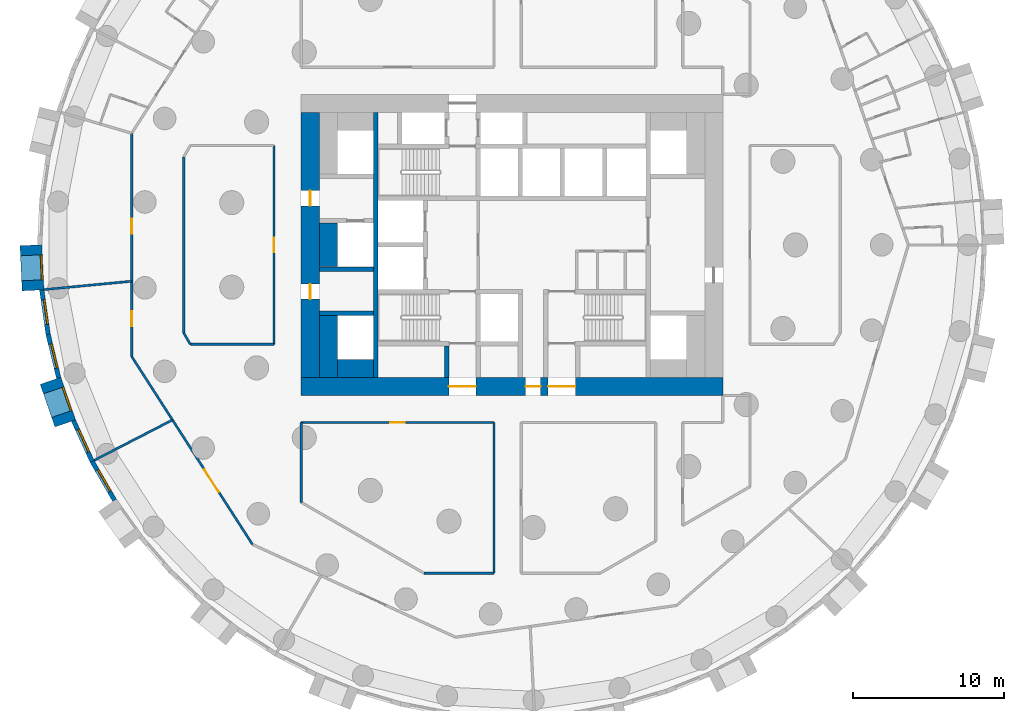
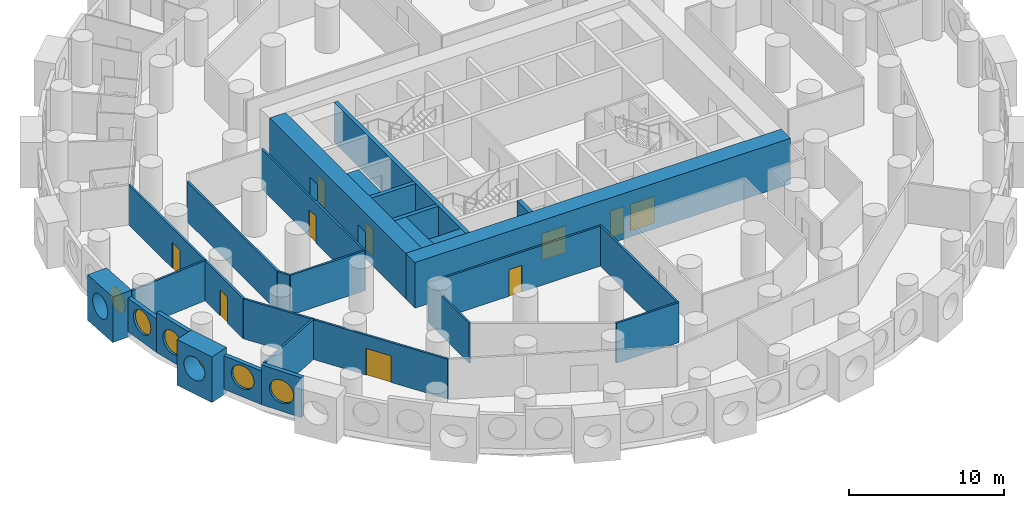
# One storey, part 3 of 12: 27 walls, 10 doors, 6 windows, 16 openings.
"""IFC4 building model written with IfcOpenShell, lengths in metres."""

from ifc_helpers import new_model, si_unit, direction, frame, frame_2d, origin, origin_2d, place, context, subcontext, project, spatial, rectangle, circle, extrude, material, layer, layer_set, type_object, element, fill, save


model = new_model("IFC4")

# Units and contexts
model_context = context("Model", 3, precision=1e-05, world=origin(), true_north=direction((0.0, 1.0)))
body_context = subcontext(model_context, "Body", "Model", "MODEL_VIEW")
ifc_project = project(units=[si_unit("LENGTHUNIT", "METRE"), si_unit("AREAUNIT", "SQUARE_METRE"), si_unit("VOLUMEUNIT", "CUBIC_METRE"), si_unit("PLANEANGLEUNIT", "RADIAN"), si_unit("MASSUNIT", "GRAM", prefix="KILO")], contexts=[model_context])

# Site, building, storey
site_placement = place(None, origin())
site = spatial("IfcSite", under=ifc_project, at=site_placement, CompositionType="ELEMENT")
building_placement = place(site_placement, origin())
building = spatial("IfcBuilding", under=site, at=building_placement, Name="Tracery Tower", CompositionType="ELEMENT")
storey_placement = place(building_placement, frame((0.0, 0.0, 42.60009765625)))
storey = spatial("IfcBuildingStorey", under=building, at=storey_placement, Name="L09", CompositionType="ELEMENT", Elevation=42.60009765625)

# Walls
ifc_material_1 = material(Name="Concrete C60/75", Category="concrete")
ifc_layer_1 = layer(ifc_material_1, 1.199951171875)
ifc_layer_set_1 = layer_set([ifc_layer_1], Name="Core strip wall 1200 C60")
wall_type_1 = type_object("IfcWallType", Name="Core strip wall 1200 C60", PredefinedType="SOLIDWALL", material=ifc_layer_set_1)
wall_1_placement = place(storey_placement, frame((-12.199951171875, -8.800048828125, 0.0), z_axis=(0.0, 0.0, 1.0), x_axis=(0.0, 1.0, 0.0)))
element("IfcWall", 1, at=wall_1_placement, inside=storey, type_object=wall_type_1, Name="L09 wing strip -1 -9.4", PredefinedType="SOLIDWALL", context=body_context, shape_type="SweptSolid", body=[
    extrude(rectangle(XDim=4.10009765625, YDim=1.199951171875, at=frame_2d((2.050048828125, 0.0))), origin(), (0.0, 0.0, 1.0), 3.14990234375),
])
wall_2_placement = place(storey_placement, frame((-12.199951171875, -1.449951171875, 0.0), z_axis=(0.0, 0.0, 1.0), x_axis=(0.0, 1.0, 0.0)))
element("IfcWall", 2, at=wall_2_placement, inside=storey, type_object=wall_type_1, Name="L09 wing strip -1 -1.6", PredefinedType="SOLIDWALL", context=body_context, shape_type="SweptSolid", body=[
    extrude(rectangle(XDim=2.89990234375, YDim=1.199951171875, at=frame_2d((1.449951171875, 0.0))), origin(), (0.0, 0.0, 1.0), 3.14990234375),
])
wall_3_placement = place(storey_placement, frame((-11.60009765625, -8.199951171875, 0.0), z_axis=(0.0, 0.0, 1.0), x_axis=(1.0, 0.0, 0.0)))
element("IfcWall", 3, at=wall_3_placement, inside=storey, type_object=wall_type_1, Name="L09 wing corner -1 -8.2", PredefinedType="SOLIDWALL", context=body_context, shape_type="SweptSolid", body=[
    extrude(rectangle(XDim=2.400146484375, YDim=1.199951171875, at=frame_2d((1.2001953125, 0.0))), origin(), (0.0, 0.0, 1.0), 3.14990234375),
])

# Wall, openings, doors
ifc_material_2 = material(Name="Concrete C60/75", Category="concrete")
ifc_layer_2 = layer(ifc_material_2, 1.199951171875)
ifc_layer_set_2 = layer_set([ifc_layer_2], Name="Core wall 1200 C60")
wall_type_2 = type_object("IfcWallType", Name="Core wall 1200 C60", PredefinedType="SOLIDWALL", material=ifc_layer_set_2)
wall_4_placement = place(storey_placement, frame((-14.0, -9.39990234375, 0.0), z_axis=(0.0, 0.0, 1.0), x_axis=(1.0, 0.0, 0.0)))
wall_4 = element("IfcWall", 4, at=wall_4_placement, inside=storey, type_object=wall_type_2, Name="L09 outer S", PredefinedType="SOLIDWALL", context=body_context, shape_type="SweptSolid", body=[
    extrude(rectangle(XDim=28.0, YDim=1.199951171875, at=frame_2d((14.0, 0.0))), origin(), (0.0, 0.0, 1.0), 3.599853515625),
])
opening_1_placement = place(wall_4_placement, frame((14.89990234375, 0.0, 0.0)))
opening_1 = element("IfcOpeningElement", 5, at=opening_1_placement, cuts=wall_4, Name="Opening KD16", PredefinedType="OPENING", context=body_context, shape_type="SweptSolid", body=[
    extrude(rectangle(XDim=1.0, YDim=2.10009765625, at=frame_2d((0.5, 1.050048828125))), frame((0.0, 0.60009765625, 0.0), z_axis=(0.0, -1.0, 0.0), x_axis=(1.0, 0.0, 0.0)), (0.0, 0.0, 1.0), 1.199951171875),
])
opening_2_placement = place(wall_4_placement, frame((9.800048828125, 0.0, 0.0)))
opening_2 = element("IfcOpeningElement", 6, at=opening_2_placement, cuts=wall_4, Name="Opening KD13", PredefinedType="OPENING", context=body_context, shape_type="SweptSolid", body=[
    extrude(rectangle(XDim=1.800048828125, YDim=2.10009765625, at=frame_2d((0.89990234375, 1.050048828125))), frame((0.0, 0.60009765625, 0.0), z_axis=(0.0, -1.0, 0.0), x_axis=(1.0, 0.0, 0.0)), (0.0, 0.0, 1.0), 1.199951171875),
])
opening_3_placement = place(wall_4_placement, frame((16.39990234375, 0.0, 0.0)))
opening_3 = element("IfcOpeningElement", 7, at=opening_3_placement, cuts=wall_4, Name="Opening KD13", PredefinedType="OPENING", context=body_context, shape_type="SweptSolid", body=[
    extrude(rectangle(XDim=1.800048828125, YDim=2.10009765625, at=frame_2d((0.89990234375, 1.050048828125))), frame((0.0, 0.60009765625, 0.0), z_axis=(0.0, -1.0, 0.0), x_axis=(1.0, 0.0, 0.0)), (0.0, 0.0, 1.0), 1.199951171875),
])
ifc_material_3 = material(Name="Steel fire door", Category="steel")
door_type_1 = type_object("IfcDoorType", Name="Core exit door 1000", OperationType="NOTDEFINED", PredefinedType="DOOR", material=ifc_material_3)
door_1_placement = place(opening_1_placement, origin())
door_1 = element("IfcDoor", 8, at=door_1_placement, inside=storey, type_object=door_type_1, Name="Core exit door", OperationType="SINGLE_SWING_LEFT", OverallHeight=2.10009765625, OverallWidth=1.0, PredefinedType="DOOR", context=body_context, shape_type="SweptSolid", body=[
    extrude(rectangle(XDim=1.0, YDim=2.10009765625, at=frame_2d((0.5, 1.050048828125))), frame((0.0, 0.02490234375, 0.0), z_axis=(0.0, -1.0, 0.0), x_axis=(1.0, 0.0, 0.0)), (0.0, 0.0, 1.0), 0.050048828125),
])
fill(opening_1, door_1)
ifc_material_4 = material(Name="Steel fire door", Category="steel")
door_type_2 = type_object("IfcDoorType", Name="Core exit door 1800 double", OperationType="NOTDEFINED", PredefinedType="DOOR", material=ifc_material_4)
door_2_placement = place(opening_2_placement, origin())
door_2 = element("IfcDoor", 9, at=door_2_placement, inside=storey, type_object=door_type_2, Name="Core exit door", OperationType="DOUBLE_DOOR_SINGLE_SWING", OverallHeight=2.10009765625, OverallWidth=1.800048828125, PredefinedType="DOOR", context=body_context, shape_type="SweptSolid", body=[
    extrude(rectangle(XDim=1.800048828125, YDim=2.10009765625, at=frame_2d((0.89990234375, 1.050048828125))), frame((0.0, 0.02490234375, 0.0), z_axis=(0.0, -1.0, 0.0), x_axis=(1.0, 0.0, 0.0)), (0.0, 0.0, 1.0), 0.050048828125),
])
fill(opening_2, door_2)
door_3_placement = place(opening_3_placement, origin())
door_3 = element("IfcDoor", 10, at=door_3_placement, inside=storey, type_object=door_type_2, Name="Core exit door", OperationType="DOUBLE_DOOR_SINGLE_SWING", OverallHeight=2.10009765625, OverallWidth=1.800048828125, PredefinedType="DOOR", context=body_context, shape_type="SweptSolid", body=[
    extrude(rectangle(XDim=1.800048828125, YDim=2.10009765625, at=frame_2d((0.89990234375, 1.050048828125))), frame((0.0, 0.02490234375, 0.0), z_axis=(0.0, -1.0, 0.0), x_axis=(1.0, 0.0, 0.0)), (0.0, 0.0, 1.0), 0.050048828125),
])
fill(opening_3, door_3)

wall_5_placement = place(storey_placement, frame((-13.39990234375, -8.800048828125, 0.0), z_axis=(0.0, 0.0, 1.0), x_axis=(0.0, 1.0, 0.0)))
wall_5 = element("IfcWall", 11, at=wall_5_placement, inside=storey, type_object=wall_type_2, Name="L09 outer W", PredefinedType="SOLIDWALL", context=body_context, shape_type="SweptSolid", body=[
    extrude(rectangle(XDim=17.60009765625, YDim=1.199951171875, at=frame_2d((8.800048828125, 0.0))), origin(), (0.0, 0.0, 1.0), 3.599853515625),
])
opening_4_placement = place(wall_5_placement, frame((5.199951171875, 0.0, 0.0)))
opening_4 = element("IfcOpeningElement", 12, at=opening_4_placement, cuts=wall_5, Name="Opening KD18", PredefinedType="OPENING", context=body_context, shape_type="SweptSolid", body=[
    extrude(rectangle(XDim=1.0, YDim=2.10009765625, at=frame_2d((0.5, 1.050048828125))), frame((0.0, 0.60009765625, 0.0), z_axis=(0.0, -1.0, 0.0), x_axis=(1.0, 0.0, 0.0)), (0.0, 0.0, 1.0), 1.199951171875),
])
opening_5_placement = place(wall_5_placement, frame((11.39990234375, 0.0, 0.0)))
opening_5 = element("IfcOpeningElement", 13, at=opening_5_placement, cuts=wall_5, Name="Opening KD18", PredefinedType="OPENING", context=body_context, shape_type="SweptSolid", body=[
    extrude(rectangle(XDim=1.0, YDim=2.10009765625, at=frame_2d((0.5, 1.050048828125))), frame((0.0, 0.60009765625, 0.0), z_axis=(0.0, -1.0, 0.0), x_axis=(1.0, 0.0, 0.0)), (0.0, 0.0, 1.0), 1.199951171875),
])
door_4_placement = place(opening_4_placement, origin())
door_4 = element("IfcDoor", 14, at=door_4_placement, inside=storey, type_object=door_type_1, Name="Core exit door", OperationType="DOUBLE_DOOR_SINGLE_SWING", OverallHeight=2.10009765625, OverallWidth=1.0, PredefinedType="DOOR", context=body_context, shape_type="SweptSolid", body=[
    extrude(rectangle(XDim=1.0, YDim=2.10009765625, at=frame_2d((0.5, 1.050048828125))), frame((0.0, 0.02490234375, 0.0), z_axis=(0.0, -1.0, 0.0), x_axis=(1.0, 0.0, 0.0)), (0.0, 0.0, 1.0), 0.050048828125),
])
fill(opening_4, door_4)
door_5_placement = place(opening_5_placement, origin())
door_5 = element("IfcDoor", 15, at=door_5_placement, inside=storey, type_object=door_type_1, Name="Core exit door", OperationType="DOUBLE_DOOR_SINGLE_SWING", OverallHeight=2.10009765625, OverallWidth=1.0, PredefinedType="DOOR", context=body_context, shape_type="SweptSolid", body=[
    extrude(rectangle(XDim=1.0, YDim=2.10009765625, at=frame_2d((0.5, 1.050048828125))), frame((0.0, 0.02490234375, 0.0), z_axis=(0.0, -1.0, 0.0), x_axis=(1.0, 0.0, 0.0)), (0.0, 0.0, 1.0), 0.050048828125),
])
fill(opening_5, door_5)

# Wall, opening, window
ifc_material_5 = material(Name="Precast concrete C50/60", Category="concrete")
ifc_layer_3 = layer(ifc_material_5, 1.449951171875)
ifc_layer_set_3 = layer_set([ifc_layer_3], Name="Deep-set bay unit 3000 x 3600, slab edge 450")
wall_type_3 = type_object("IfcWallType", Name="Deep-set bay unit 3000 x 3600, slab edge 450", PredefinedType="ELEMENTEDWALL", material=ifc_layer_set_3)
wall_6_placement = place(storey_placement, frame((-31.94921875, -0.020263671875, -0.4501953125), z_axis=(0.0, 0.0, 1.0), x_axis=(0.047607680889, -0.998866111509, 0.0)))
wall_6 = element("IfcWall", 16, at=wall_6_placement, inside=storey, type_object=wall_type_3, Name="Deep-set bay unit 34 at L09", PredefinedType="ELEMENTEDWALL", context=body_context, shape_type="SweptSolid", body=[
    extrude(rectangle(XDim=3.0, YDim=1.449951171875, at=frame_2d((1.5, 0.0))), origin(), (0.0, 0.0, 1.0), 3.60009765625),
])
opening_6_placement = place(wall_6_placement, frame((1.5, 0.0, 2.0)))
opening_6 = element("IfcOpeningElement", 17, at=opening_6_placement, cuts=wall_6, Name="Opening WN1", PredefinedType="OPENING", context=body_context, shape_type="SweptSolid", body=[
    extrude(circle(Radius=0.9000244140625, at=origin_2d()), frame((0.0, 0.73486328125, 0.0), z_axis=(0.0, -1.0, 0.0), x_axis=(1.0, 0.0, 0.0)), (0.0, 0.0, 1.0), 1.469970703125),
])
ifc_material_6 = material(Name="Aluminium frame with tinted double glazing", Category="aluminium")
window_type = type_object("IfcWindowType", Name="Round window 1800", PartitioningType="SINGLE_PANEL", PredefinedType="WINDOW", material=ifc_material_6)
window_1_placement = place(opening_6_placement, origin())
window_1 = element("IfcWindow", 18, at=window_1_placement, inside=storey, type_object=window_type, Name="Round window 34 at L09", OverallHeight=1.800048828125, OverallWidth=1.800048828125, PartitioningType="SINGLE_PANEL", PredefinedType="WINDOW", context=body_context, shape_type="SweptSolid", body=[
    extrude(circle(Radius=0.9000244140625, at=origin_2d()), frame((0.0, 0.69482421875, 0.0), z_axis=(0.0, -1.0, 0.0), x_axis=(1.0, 0.0, 0.0)), (0.0, 0.0, 1.0), 0.10009765625),
])
fill(opening_6, window_1)

wall_7_placement = place(storey_placement, frame((-30.649169921875, -9.0205078125, -0.4501953125), z_axis=(0.0, 0.0, 1.0), x_axis=(0.327071431777, -0.944999618262, 0.0)))
wall_7 = element("IfcWall", 19, at=wall_7_placement, inside=storey, type_object=wall_type_3, Name="Deep-set bay unit 37 at L09", PredefinedType="ELEMENTEDWALL", context=body_context, shape_type="SweptSolid", body=[
    extrude(rectangle(XDim=3.0, YDim=1.449951171875, at=frame_2d((1.5, 0.0))), origin(), (0.0, 0.0, 1.0), 3.60009765625),
])
opening_7_placement = place(wall_7_placement, frame((1.5, 0.0, 2.0)))
opening_7 = element("IfcOpeningElement", 20, at=opening_7_placement, cuts=wall_7, Name="Opening WN1", PredefinedType="OPENING", context=body_context, shape_type="SweptSolid", body=[
    extrude(circle(Radius=0.9000244140625, at=origin_2d()), frame((0.0, 0.73486328125, 0.0), z_axis=(0.0, -1.0, 0.0), x_axis=(1.0, 0.0, 0.0)), (0.0, 0.0, 1.0), 1.469970703125),
])
window_2_placement = place(opening_7_placement, origin())
window_2 = element("IfcWindow", 21, at=window_2_placement, inside=storey, type_object=window_type, Name="Round window 37 at L09", OverallHeight=1.800048828125, OverallWidth=1.800048828125, PartitioningType="SINGLE_PANEL", PredefinedType="WINDOW", context=body_context, shape_type="SweptSolid", body=[
    extrude(circle(Radius=0.9000244140625, at=origin_2d()), frame((0.0, 0.69482421875, 0.0), z_axis=(0.0, -1.0, 0.0), x_axis=(1.0, 0.0, 0.0)), (0.0, 0.0, 1.0), 0.10009765625),
])
fill(opening_7, window_2)

ifc_material_7 = material(Name="Precast concrete C50/60", Category="concrete")
ifc_layer_4 = layer(ifc_material_7, 0.300048828125)
ifc_layer_set_4 = layer_set([ifc_layer_4], Name="Facade panel 3000 x 2650")
wall_type_4 = type_object("IfcWallType", Name="Facade panel 3000 x 2650", PredefinedType="SOLIDWALL", material=ifc_layer_set_4)
wall_8_placement = place(storey_placement, frame((-31.2314453125, -2.98828125, 0.0), z_axis=(0.0, 0.0, 1.0), x_axis=(0.142315996627, -0.989821275334, 0.0)))
wall_8 = element("IfcWall", 22, at=wall_8_placement, inside=storey, type_object=wall_type_4, Name="Facade panel 35 at L09", PredefinedType="SOLIDWALL", context=body_context, shape_type="SweptSolid", body=[
    extrude(rectangle(XDim=2.979736328125, YDim=0.300048828125, at=frame_2d((1.48974609375, 0.0))), origin(), (0.0, 0.0, 1.0), 2.64990234375),
])
opening_8_placement = place(wall_8_placement, frame((1.48974609375, 0.0, 1.5498046875)))
opening_8 = element("IfcOpeningElement", 23, at=opening_8_placement, cuts=wall_8, Name="Opening WN1", PredefinedType="OPENING", context=body_context, shape_type="SweptSolid", body=[
    extrude(circle(Radius=0.9000244140625, at=origin_2d()), frame((0.0, 0.159912109375, 0.0), z_axis=(0.0, -1.0, 0.0), x_axis=(1.0, 0.0, 0.0)), (0.0, 0.0, 1.0), 0.320068359375),
])
window_3_placement = place(opening_8_placement, origin())
window_3 = element("IfcWindow", 24, at=window_3_placement, inside=storey, type_object=window_type, Name="Round window 35 at L09", OverallHeight=1.800048828125, OverallWidth=1.800048828125, PartitioningType="SINGLE_PANEL", PredefinedType="WINDOW", context=body_context, shape_type="SweptSolid", body=[
    extrude(circle(Radius=0.9000244140625, at=origin_2d()), frame((0.0, 0.1201171875, 0.0), z_axis=(0.0, -1.0, 0.0), x_axis=(1.0, 0.0, 0.0)), (0.0, 0.0, 1.0), 0.10009765625),
])
fill(opening_8, window_3)

wall_9_placement = place(storey_placement, frame((-29.12451171875, -11.666259765625, 0.0), z_axis=(0.0, 0.0, 1.0), x_axis=(0.415407317162, -0.909635509888, 0.0)))
wall_9 = element("IfcWall", 25, at=wall_9_placement, inside=storey, type_object=wall_type_4, Name="Facade panel 38 at L09", PredefinedType="SOLIDWALL", context=body_context, shape_type="SweptSolid", body=[
    extrude(rectangle(XDim=2.979736328125, YDim=0.300048828125, at=frame_2d((1.48974609375, 0.0))), origin(), (0.0, 0.0, 1.0), 2.64990234375),
])
opening_9_placement = place(wall_9_placement, frame((1.48974609375, 0.0, 1.5498046875)))
opening_9 = element("IfcOpeningElement", 26, at=opening_9_placement, cuts=wall_9, Name="Opening WN1", PredefinedType="OPENING", context=body_context, shape_type="SweptSolid", body=[
    extrude(circle(Radius=0.9000244140625, at=origin_2d()), frame((0.0, 0.159912109375, 0.0), z_axis=(0.0, -1.0, 0.0), x_axis=(1.0, 0.0, 0.0)), (0.0, 0.0, 1.0), 0.320068359375),
])
window_4_placement = place(opening_9_placement, origin())
window_4 = element("IfcWindow", 27, at=window_4_placement, inside=storey, type_object=window_type, Name="Round window 38 at L09", OverallHeight=1.800048828125, OverallWidth=1.800048828125, PartitioningType="SINGLE_PANEL", PredefinedType="WINDOW", context=body_context, shape_type="SweptSolid", body=[
    extrude(circle(Radius=0.9000244140625, at=origin_2d()), frame((0.0, 0.1201171875, 0.0), z_axis=(0.0, -1.0, 0.0), x_axis=(1.0, 0.0, 0.0)), (0.0, 0.0, 1.0), 0.10009765625),
])
fill(opening_9, window_4)

ifc_material_8 = material(Name="Precast concrete C50/60", Category="concrete")
ifc_layer_5 = layer(ifc_material_8, 0.300048828125)
ifc_layer_set_5 = layer_set([ifc_layer_5], Name="Facade panel 3000 x 3150")
wall_type_5 = type_object("IfcWallType", Name="Facade panel 3000 x 3150", PredefinedType="SOLIDWALL", material=ifc_layer_set_5)
wall_10_placement = place(storey_placement, frame((-30.807373046875, -5.937744140625, 0.0), z_axis=(0.0, 0.0, 1.0), x_axis=(0.235743081534, -0.971815414319, 0.0)))
wall_10 = element("IfcWall", 28, at=wall_10_placement, inside=storey, type_object=wall_type_5, Name="Facade panel 36 at L09", PredefinedType="SOLIDWALL", context=body_context, shape_type="SweptSolid", body=[
    extrude(rectangle(XDim=2.9794921875, YDim=0.300048828125, at=frame_2d((1.48974609375, 0.0))), origin(), (0.0, 0.0, 1.0), 3.14990234375),
])
opening_10_placement = place(wall_10_placement, frame((1.48974609375, 0.0, 1.5498046875)))
opening_10 = element("IfcOpeningElement", 29, at=opening_10_placement, cuts=wall_10, Name="Opening WN1", PredefinedType="OPENING", context=body_context, shape_type="SweptSolid", body=[
    extrude(circle(Radius=0.9000244140625, at=origin_2d()), frame((0.0, 0.159912109375, 0.0), z_axis=(0.0, -1.0, 0.0), x_axis=(1.0, 0.0, 0.0)), (0.0, 0.0, 1.0), 0.320068359375),
])
window_5_placement = place(opening_10_placement, origin())
window_5 = element("IfcWindow", 30, at=window_5_placement, inside=storey, type_object=window_type, Name="Round window 36 at L09", OverallHeight=1.800048828125, OverallWidth=1.800048828125, PartitioningType="SINGLE_PANEL", PredefinedType="WINDOW", context=body_context, shape_type="SweptSolid", body=[
    extrude(circle(Radius=0.9000244140625, at=origin_2d()), frame((0.0, 0.1201171875, 0.0), z_axis=(0.0, -1.0, 0.0), x_axis=(1.0, 0.0, 0.0)), (0.0, 0.0, 1.0), 0.10009765625),
])
fill(opening_10, window_5)

wall_11_placement = place(storey_placement, frame((-27.88671875, -14.376708984375, 0.0), z_axis=(0.0, 0.0, 1.0), x_axis=(0.499999078476, -0.866025935826, 0.0)))
wall_11 = element("IfcWall", 31, at=wall_11_placement, inside=storey, type_object=wall_type_5, Name="Facade panel 39 at L09", PredefinedType="SOLIDWALL", context=body_context, shape_type="SweptSolid", body=[
    extrude(rectangle(XDim=2.9794921875, YDim=0.300048828125, at=frame_2d((1.48974609375, 0.0))), origin(), (0.0, 0.0, 1.0), 3.14990234375),
])
opening_11_placement = place(wall_11_placement, frame((1.48974609375, 0.0, 1.5498046875)))
opening_11 = element("IfcOpeningElement", 32, at=opening_11_placement, cuts=wall_11, Name="Opening WN1", PredefinedType="OPENING", context=body_context, shape_type="SweptSolid", body=[
    extrude(circle(Radius=0.9000244140625, at=origin_2d()), frame((0.0, 0.159912109375, 0.0), z_axis=(0.0, -1.0, 0.0), x_axis=(1.0, 0.0, 0.0)), (0.0, 0.0, 1.0), 0.320068359375),
])
window_6_placement = place(opening_11_placement, origin())
window_6 = element("IfcWindow", 33, at=window_6_placement, inside=storey, type_object=window_type, Name="Round window 39 at L09", OverallHeight=1.800048828125, OverallWidth=1.800048828125, PartitioningType="SINGLE_PANEL", PredefinedType="WINDOW", context=body_context, shape_type="SweptSolid", body=[
    extrude(circle(Radius=0.9000244140625, at=origin_2d()), frame((0.0, 0.1201171875, 0.0), z_axis=(0.0, -1.0, 0.0), x_axis=(1.0, 0.0, 0.0)), (0.0, 0.0, 1.0), 0.10009765625),
])
fill(opening_11, window_6)

# Walls
ifc_material_9 = material(Name="Plasterboard on steel studs", Category="steel")
ifc_layer_6 = layer(ifc_material_9, 0.14990234375)
ifc_layer_set_6 = layer_set([ifc_layer_6], Name="Partition 150 acoustic unit wall")
wall_type_6 = type_object("IfcWallType", Name="Partition 150 acoustic unit wall", PredefinedType="PARTITIONING", material=ifc_layer_set_6)
wall_12_placement = place(storey_placement, frame((-31.0830078125, -2.968017578125, 0.0), z_axis=(0.0, 0.0, 1.0), x_axis=(0.995465070325, 0.095127775983, 0.0)))
element("IfcWall", 34, at=wall_12_placement, inside=storey, type_object=wall_type_6, Name="Unit wall RA2-118", PredefinedType="PARTITIONING", context=body_context, shape_type="SweptSolid", body=[
    extrude(rectangle(XDim=5.856689453125, YDim=0.14990234375, at=frame_2d((2.92822265625, 0.0))), origin(), (0.0, 0.0, 1.0), 3.14990234375),
])
wall_13_placement = place(storey_placement, frame((-27.7529296875, -14.30810546875, 0.0), z_axis=(0.0, 0.0, 1.0), x_axis=(0.88877955153, 0.45833493079, 0.0)))
element("IfcWall", 35, at=wall_13_placement, inside=storey, type_object=wall_type_6, Name="Unit wall RA2-119", PredefinedType="PARTITIONING", context=body_context, shape_type="SweptSolid", body=[
    extrude(rectangle(XDim=5.856201171875, YDim=0.14990234375, at=frame_2d((2.92822265625, 0.0))), origin(), (0.0, 0.0, 1.0), 3.14990234375),
])

# Wall, opening, door
ifc_material_10 = material(Name="Plasterboard on steel studs", Category="steel")
ifc_layer_7 = layer(ifc_material_10, 0.14990234375)
ifc_layer_set_7 = layer_set([ifc_layer_7], Name="Partition 150 corridor wall")
wall_type_7 = type_object("IfcWallType", Name="Partition 150 corridor wall", PredefinedType="PARTITIONING", material=ifc_layer_set_7)
wall_14_placement = place(storey_placement, frame((-14.00390625, -11.800048828125, 0.0), z_axis=(0.0, 0.0, 1.0), x_axis=(1.0, 0.0, 0.0)))
wall_14 = element("IfcWall", 36, at=wall_14_placement, inside=storey, type_object=wall_type_7, Name="Corridor wall RA2-005", PredefinedType="PARTITIONING", context=body_context, shape_type="SweptSolid", body=[
    extrude(rectangle(XDim=12.81591796875, YDim=0.14990234375, at=frame_2d((6.407958984375, 0.0))), origin(), (0.0, 0.0, 1.0), 3.14990234375),
])
opening_12_placement = place(wall_14_placement, frame((5.93310546875, 0.0, 0.0)))
opening_12 = element("IfcOpeningElement", 37, at=opening_12_placement, cuts=wall_14, Name="Opening RA2-04", PredefinedType="OPENING", context=body_context, shape_type="SweptSolid", body=[
    extrude(rectangle(XDim=0.949951171875, YDim=2.10009765625, at=frame_2d((0.47509765625, 1.050048828125))), frame((0.0, 0.074951171875, 0.0), z_axis=(0.0, -1.0, 0.0), x_axis=(1.0, 0.0, 0.0)), (0.0, 0.0, 1.0), 0.14990234375),
])
ifc_material_11 = material(Name="Timber door leaf", Category="wood")
door_type_3 = type_object("IfcDoorType", Name="Door store 950", OperationType="NOTDEFINED", PredefinedType="DOOR", material=ifc_material_11)
door_6_placement = place(opening_12_placement, origin())
door_6 = element("IfcDoor", 38, at=door_6_placement, inside=storey, type_object=door_type_3, Name="Store door RA2-04", OperationType="SINGLE_SWING_RIGHT", OverallHeight=2.10009765625, OverallWidth=0.949951171875, PredefinedType="DOOR", context=body_context, shape_type="SweptSolid", body=[
    extrude(rectangle(XDim=0.949951171875, YDim=2.10009765625, at=frame_2d((0.47509765625, 1.050048828125))), frame((0.0, 0.02490234375, 0.0), z_axis=(0.0, -1.0, 0.0), x_axis=(1.0, 0.0, 0.0)), (0.0, 0.0, 1.0), 0.050048828125),
])
fill(opening_12, door_6)

wall_15_placement = place(storey_placement, frame((-15.800048828125, -6.60400390625, 0.0), z_axis=(0.0, 0.0, 1.0), x_axis=(0.0, 1.0, 0.0)))
wall_15 = element("IfcWall", 39, at=wall_15_placement, inside=storey, type_object=wall_type_7, Name="Corridor wall RA2-012", PredefinedType="PARTITIONING", context=body_context, shape_type="SweptSolid", body=[
    extrude(rectangle(XDim=13.2080078125, YDim=0.14990234375, at=frame_2d((6.60400390625, 0.0))), origin(), (0.0, 0.0, 1.0), 3.14990234375),
])
opening_13_placement = place(wall_15_placement, frame((6.12890625, 0.0, 0.0)))
opening_13 = element("IfcOpeningElement", 40, at=opening_13_placement, cuts=wall_15, Name="Opening RA2-08", PredefinedType="OPENING", context=body_context, shape_type="SweptSolid", body=[
    extrude(rectangle(XDim=0.949951171875, YDim=2.10009765625, at=frame_2d((0.47509765625, 1.050048828125))), frame((0.0, 0.074951171875, 0.0), z_axis=(0.0, -1.0, 0.0), x_axis=(1.0, 0.0, 0.0)), (0.0, 0.0, 1.0), 0.14990234375),
])
door_7_placement = place(opening_13_placement, origin())
door_7 = element("IfcDoor", 41, at=door_7_placement, inside=storey, type_object=door_type_3, Name="Store door RA2-08", OperationType="SINGLE_SWING_LEFT", OverallHeight=2.10009765625, OverallWidth=0.949951171875, PredefinedType="DOOR", context=body_context, shape_type="SweptSolid", body=[
    extrude(rectangle(XDim=0.949951171875, YDim=2.10009765625, at=frame_2d((0.47509765625, 1.050048828125))), frame((0.0, 0.02490234375, 0.0), z_axis=(0.0, -1.0, 0.0), x_axis=(1.0, 0.0, 0.0)), (0.0, 0.0, 1.0), 0.050048828125),
])
fill(opening_13, door_7)

# Walls
wall_16_placement = place(storey_placement, frame((-14.0, -17.092041015625, 0.0), z_axis=(0.0, 0.0, 1.0), x_axis=(0.0, 1.0, 0.0)))
element("IfcWall", 42, at=wall_16_placement, inside=storey, type_object=wall_type_7, Name="Corridor wall RA2-038", PredefinedType="PARTITIONING", context=body_context, shape_type="SweptSolid", body=[
    extrude(rectangle(XDim=5.2919921875, YDim=0.14990234375, at=frame_2d((2.64599609375, 0.0))), origin(), (0.0, 0.0, 1.0), 3.14990234375),
])
wall_17_placement = place(storey_placement, frame((-21.802001953125, -5.842041015625, 0.0), z_axis=(0.0, 0.0, 1.0), x_axis=(0.0, 1.0, 0.0)))
element("IfcWall", 43, at=wall_17_placement, inside=storey, type_object=wall_type_7, Name="Corridor wall RA2-041", PredefinedType="PARTITIONING", context=body_context, shape_type="SweptSolid", body=[
    extrude(rectangle(XDim=11.68408203125, YDim=0.14990234375, at=frame_2d((5.842041015625, 0.0))), origin(), (0.0, 0.0, 1.0), 3.14990234375),
])
wall_18_placement = place(storey_placement, frame((-21.802001953125, -5.842041015625, 0.0), z_axis=(0.0, 0.0, 1.0), x_axis=(0.500277597875, -0.865865073245, 0.0)))
element("IfcWall", 44, at=wall_18_placement, inside=storey, type_object=wall_type_7, Name="Corridor wall RA2-042", PredefinedType="PARTITIONING", context=body_context, shape_type="SweptSolid", body=[
    extrude(rectangle(XDim=0.87548828125, YDim=0.14990234375, at=frame_2d((0.437744140625, 0.0))), origin(), (0.0, 0.0, 1.0), 3.14990234375),
])
wall_19_placement = place(storey_placement, frame((-21.364013671875, -6.60009765625, 0.0), z_axis=(0.0, 0.0, 1.0), x_axis=(1.0, 0.0, 0.0)))
element("IfcWall", 45, at=wall_19_placement, inside=storey, type_object=wall_type_7, Name="Corridor wall RA2-043", PredefinedType="PARTITIONING", context=body_context, shape_type="SweptSolid", body=[
    extrude(rectangle(XDim=5.56396484375, YDim=0.14990234375, at=frame_2d((2.781982421875, 0.0))), origin(), (0.0, 0.0, 1.0), 3.14990234375),
])

# Wall, openings, doors
wall_20_placement = place(storey_placement, frame((-25.2529296875, -7.4150390625, 0.0), z_axis=(0.0, 0.0, 1.0), x_axis=(0.0, 1.0, 0.0)))
wall_20 = element("IfcWall", 46, at=wall_20_placement, inside=storey, type_object=wall_type_7, Name="Corridor wall RA2-044", PredefinedType="PARTITIONING", context=body_context, shape_type="SweptSolid", body=[
    extrude(rectangle(XDim=14.830078125, YDim=0.14990234375, at=frame_2d((7.4150390625, 0.0))), origin(), (0.0, 0.0, 1.0), 3.14990234375),
])
opening_14_placement = place(wall_20_placement, frame((8.1650390625, 0.0, 0.0)))
opening_14 = element("IfcOpeningElement", 47, at=opening_14_placement, cuts=wall_20, Name="Opening RA2-45", PredefinedType="OPENING", context=body_context, shape_type="SweptSolid", body=[
    extrude(rectangle(XDim=1.0, YDim=2.0400390625, at=frame_2d((0.5, 1.02001953125))), frame((0.0, 0.074951171875, 0.0), z_axis=(0.0, -1.0, 0.0), x_axis=(1.0, 0.0, 0.0)), (0.0, 0.0, 1.0), 0.14990234375),
])
opening_15_placement = place(wall_20_placement, frame((2.00390625, 0.0, 0.0)))
opening_15 = element("IfcOpeningElement", 48, at=opening_15_placement, cuts=wall_20, Name="Opening RA2-46", PredefinedType="OPENING", context=body_context, shape_type="SweptSolid", body=[
    extrude(rectangle(XDim=1.0, YDim=2.0400390625, at=frame_2d((0.5, 1.02001953125))), frame((0.0, 0.074951171875, 0.0), z_axis=(0.0, -1.0, 0.0), x_axis=(1.0, 0.0, 0.0)), (0.0, 0.0, 1.0), 0.14990234375),
])
ifc_material_12 = material(Name="Timber door leaf", Category="wood")
door_type_4 = type_object("IfcDoorType", Name="Door communal room 1000", OperationType="NOTDEFINED", PredefinedType="DOOR", material=ifc_material_12)
door_8_placement = place(opening_14_placement, origin())
door_8 = element("IfcDoor", 49, at=door_8_placement, inside=storey, type_object=door_type_4, Name="Communal room door RA2-45", OperationType="SINGLE_SWING_LEFT", OverallHeight=2.0400390625, OverallWidth=1.0, PredefinedType="DOOR", context=body_context, shape_type="SweptSolid", body=[
    extrude(rectangle(XDim=1.0, YDim=2.0400390625, at=frame_2d((0.5, 1.02001953125))), frame((0.0, 0.02490234375, 0.0), z_axis=(0.0, -1.0, 0.0), x_axis=(1.0, 0.0, 0.0)), (0.0, 0.0, 1.0), 0.050048828125),
])
fill(opening_14, door_8)
door_9_placement = place(opening_15_placement, origin())
door_9 = element("IfcDoor", 50, at=door_9_placement, inside=storey, type_object=door_type_4, Name="Communal room door RA2-46", OperationType="SINGLE_SWING_RIGHT", OverallHeight=2.0400390625, OverallWidth=1.0, PredefinedType="DOOR", context=body_context, shape_type="SweptSolid", body=[
    extrude(rectangle(XDim=1.0, YDim=2.0400390625, at=frame_2d((0.5, 1.02001953125))), frame((0.0, 0.02490234375, 0.0), z_axis=(0.0, -1.0, 0.0), x_axis=(1.0, 0.0, 0.0)), (0.0, 0.0, 1.0), 0.050048828125),
])
fill(opening_15, door_9)

# Wall, opening, door
wall_21_placement = place(storey_placement, frame((-25.2529296875, -7.4150390625, 0.0), z_axis=(0.0, 0.0, 1.0), x_axis=(0.540656073354, -0.841243728265, 0.0)))
wall_21 = element("IfcWall", 51, at=wall_21_placement, inside=storey, type_object=wall_type_7, Name="Corridor wall RA2-045", PredefinedType="PARTITIONING", context=body_context, shape_type="SweptSolid", body=[
    extrude(rectangle(XDim=14.829345703125, YDim=0.14990234375, at=frame_2d((7.41455078125, 0.0))), origin(), (0.0, 0.0, 1.0), 3.14990234375),
])
opening_16_placement = place(wall_21_placement, frame((8.9033203125, 0.0, 0.0)))
opening_16 = element("IfcOpeningElement", 52, at=opening_16_placement, cuts=wall_21, Name="Opening RA2-47", PredefinedType="OPENING", context=body_context, shape_type="SweptSolid", body=[
    extrude(rectangle(XDim=1.800048828125, YDim=2.10009765625, at=frame_2d((0.89990234375, 1.050048828125))), frame((0.0, 0.074951171875, 0.0), z_axis=(0.0, -1.0, 0.0), x_axis=(1.0, 0.0, 0.0)), (0.0, 0.0, 1.0), 0.14990234375),
])
ifc_material_13 = material(Name="Timber door leaf", Category="wood")
door_type_5 = type_object("IfcDoorType", Name="Door double lounge 1800", OperationType="NOTDEFINED", PredefinedType="DOOR", material=ifc_material_13)
door_10_placement = place(opening_16_placement, origin())
door_10 = element("IfcDoor", 53, at=door_10_placement, inside=storey, type_object=door_type_5, Name="Double lounge door RA2-47", OperationType="DOUBLE_DOOR_SINGLE_SWING", OverallHeight=2.10009765625, OverallWidth=1.800048828125, PredefinedType="DOOR", context=body_context, shape_type="SweptSolid", body=[
    extrude(rectangle(XDim=1.800048828125, YDim=2.10009765625, at=frame_2d((0.89990234375, 1.050048828125))), frame((0.0, 0.02490234375, 0.0), z_axis=(0.0, -1.0, 0.0), x_axis=(1.0, 0.0, 0.0)), (0.0, 0.0, 1.0), 0.050048828125),
])
fill(opening_16, door_10)

# Walls
wall_22_placement = place(storey_placement, frame((-5.842041015625, -21.802001953125, 0.0), z_axis=(0.0, 0.0, 1.0), x_axis=(1.0, 0.0, 0.0)))
element("IfcWall", 54, at=wall_22_placement, inside=storey, type_object=wall_type_7, Name="Corridor wall RA2-047", PredefinedType="PARTITIONING", context=body_context, shape_type="SweptSolid", body=[
    extrude(rectangle(XDim=4.650146484375, YDim=0.14990234375, at=frame_2d((2.3251953125, 0.0))), origin(), (0.0, 0.0, 1.0), 3.14990234375),
])
wall_23_placement = place(storey_placement, frame((-1.19189453125, -21.802001953125, 0.0), z_axis=(0.0, 0.0, 1.0), x_axis=(0.0, 1.0, 0.0)))
element("IfcWall", 55, at=wall_23_placement, inside=storey, type_object=wall_type_7, Name="Corridor wall RA2-048", PredefinedType="PARTITIONING", context=body_context, shape_type="SweptSolid", body=[
    extrude(rectangle(XDim=10.001953125, YDim=0.14990234375, at=frame_2d((5.0009765625, 0.0))), origin(), (0.0, 0.0, 1.0), 3.14990234375),
])
ifc_material_14 = material(Name="Concrete C60/75", Category="concrete")
ifc_layer_8 = layer(ifc_material_14, 0.300048828125)
ifc_layer_set_8 = layer_set([ifc_layer_8], Name="Shaft wall 300 C60")
wall_type_8 = type_object("IfcWallType", Name="Shaft wall 300 C60", PredefinedType="SOLIDWALL", material=ifc_layer_set_8)
wall_24_placement = place(storey_placement, frame((-4.35009765625, -8.800048828125, 0.0), z_axis=(0.0, 0.0, 1.0), x_axis=(0.0, 1.0, 0.0)))
element("IfcWall", 56, at=wall_24_placement, inside=storey, type_object=wall_type_8, Name="L09 band S -4.35", PredefinedType="SOLIDWALL", context=body_context, shape_type="SweptSolid", body=[
    extrude(rectangle(XDim=2.10009765625, YDim=0.300048828125, at=frame_2d((1.050048828125, 0.0))), origin(), (0.0, 0.0, 1.0), 3.14990234375),
])
for number, where, z_axis, x_axis, name in (
    (57, (-12.800048828125, -4.550048828125, 0.0), (0.0, 0.0, 1.0), (1.0, 0.0, 0.0), "L09 wing shaft wall -1 -4.55"),
    (58, (-12.800048828125, -1.60009765625, 0.0), (0.0, 0.0, 1.0), (1.0, 0.0, 0.0), "L09 wing shaft wall -1 -1.60"),
):
    element("IfcWall", number, at=place(storey_placement, frame(where, z_axis=z_axis, x_axis=x_axis)), inside=storey, type_object=wall_type_8, Name=name, PredefinedType="SOLIDWALL", context=body_context, shape_type="SweptSolid", body=[
        extrude(rectangle(XDim=3.60009765625, YDim=0.300048828125, at=frame_2d((1.800048828125, 0.0))), origin(), (0.0, 0.0, 1.0), 3.14990234375),
    ])
ifc_material_15 = material(Name="Concrete C60/75", Category="concrete")
ifc_layer_9 = layer(ifc_material_15, 0.300048828125)
ifc_layer_set_9 = layer_set([ifc_layer_9], Name="Stair wall 300 C60")
wall_type_9 = type_object("IfcWallType", Name="Stair wall 300 C60", PredefinedType="SOLIDWALL", material=ifc_layer_set_9)
wall_25_placement = place(storey_placement, frame((-9.050048828125, -8.800048828125, 0.0), z_axis=(0.0, 0.0, 1.0), x_axis=(0.0, 1.0, 0.0)))
element("IfcWall", 59, at=wall_25_placement, inside=storey, type_object=wall_type_9, Name="L09 F wall -9", PredefinedType="SOLIDWALL", context=body_context, shape_type="SweptSolid", body=[
    extrude(rectangle(XDim=17.60009765625, YDim=0.300048828125, at=frame_2d((8.800048828125, 0.0))), origin(), (0.0, 0.0, 1.0), 3.14990234375),
])

save(model, "model.ifc")
